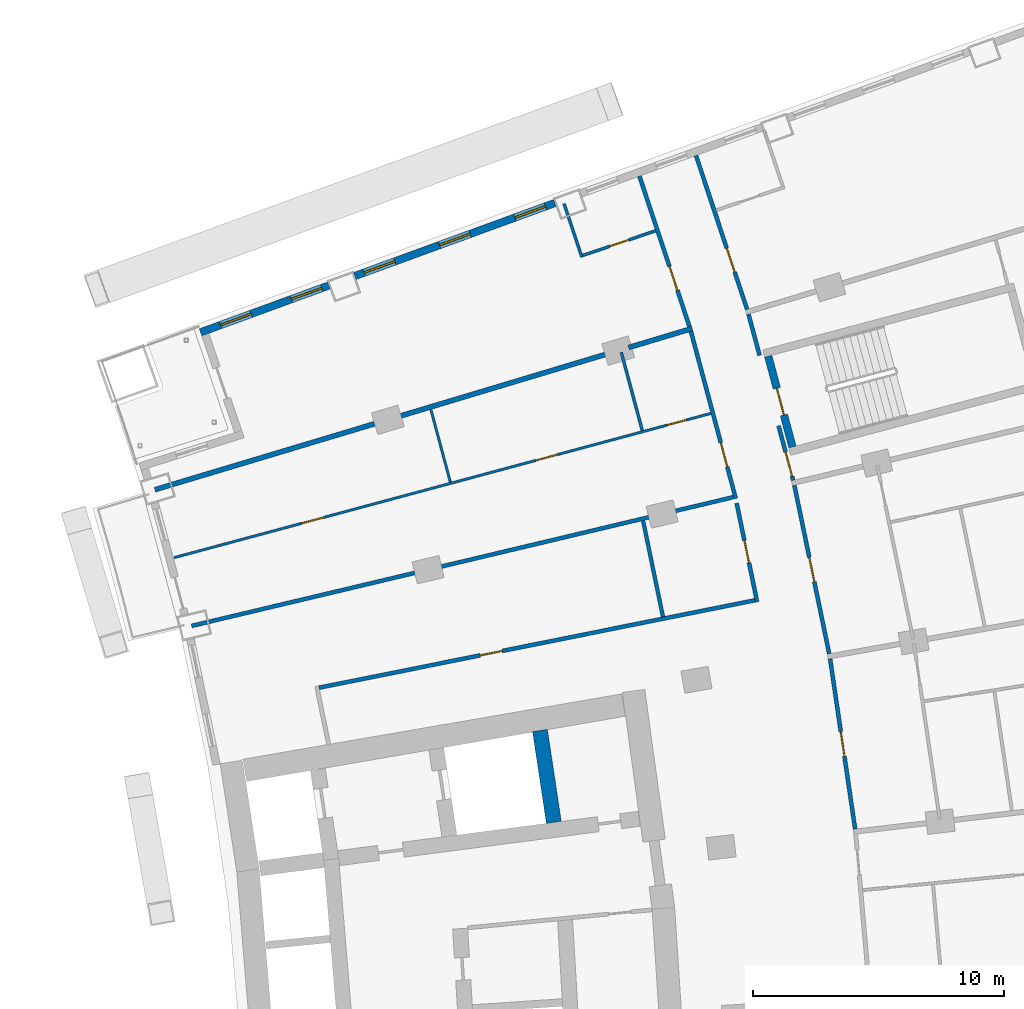
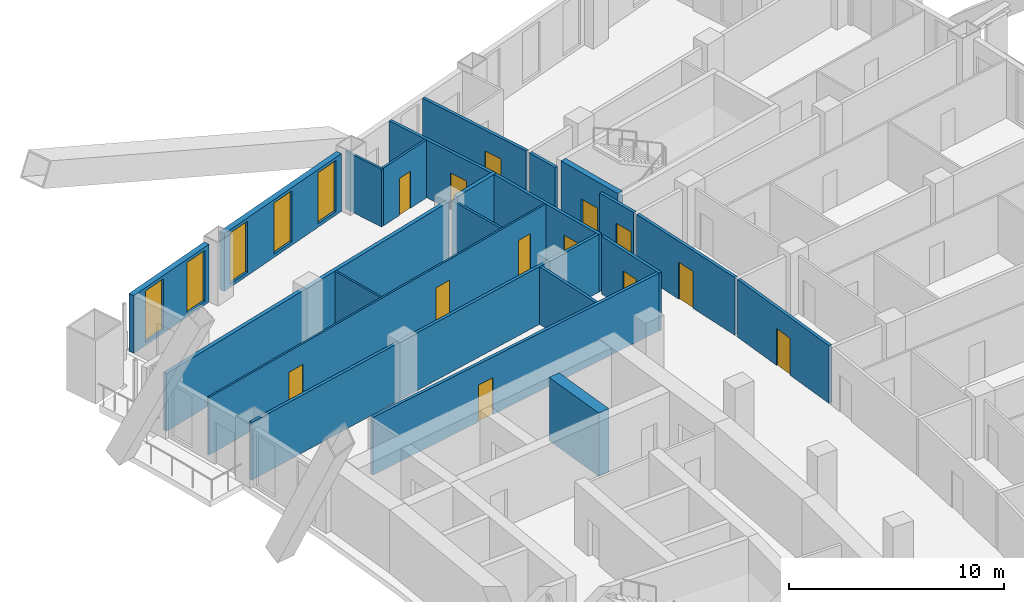
# One storey, part 19 of 25: 22 walls, 13 doors, 5 windows, 18 openings.
"""IFC4 building model written with IfcOpenShell, lengths in metres."""

from ifc_helpers import new_model, si_unit, direction, frame, frame_2d, origin, place, context, subcontext, project, spatial, rectangle, extrude, material, layer, layer_set, type_object, element, fill, save


model = new_model("IFC4")

# Units and contexts
model_context = context("Model", 3, precision=1e-05, world=origin(), true_north=direction((0.0, 1.0)))
body_context = subcontext(model_context, "Body", "Model", "MODEL_VIEW")
ifc_project = project(units=[si_unit("LENGTHUNIT", "METRE"), si_unit("AREAUNIT", "SQUARE_METRE"), si_unit("VOLUMEUNIT", "CUBIC_METRE"), si_unit("PLANEANGLEUNIT", "RADIAN"), si_unit("MASSUNIT", "GRAM", prefix="KILO")], contexts=[model_context])

# Site, building, storey
site_placement = place(None, origin())
site = spatial("IfcSite", under=ifc_project, at=site_placement, CompositionType="ELEMENT")
building_placement = place(site_placement, origin())
building = spatial("IfcBuilding", under=site, at=building_placement, Name="Alderwake Tower", CompositionType="ELEMENT")
storey_placement = place(building_placement, frame((0.0, 0.0, 64.39990234375)))
storey = spatial("IfcBuildingStorey", under=building, at=storey_placement, Name="L15", CompositionType="ELEMENT", Elevation=64.39990234375)

# Wall
ifc_material_1 = material(Name="Concrete C70/85", Category="concrete")
ifc_layer_1 = layer(ifc_material_1, 0.60009765625)
ifc_layer_set_1 = layer_set([ifc_layer_1], Name="Core wall spine 600 C70-85")
wall_type_1 = type_object("IfcWallType", Name="Core wall spine 600 C70-85", PredefinedType="SHEAR", material=ifc_layer_set_1)
wall_1_placement = place(storey_placement, frame((28.337646484375, 75.472412109375, 0.0), z_axis=(0.0, 0.0, 1.0), x_axis=(-0.149224787751, 0.988803298296, 0.0)))
element("IfcWall", 1, at=wall_1_placement, inside=storey, type_object=wall_type_1, Name="Core wall CW.001", PredefinedType="SHEAR", context=body_context, shape_type="SweptSolid", body=[
    extrude(rectangle(XDim=3.712158203125, YDim=0.60009765625, at=frame_2d((1.85595703125, 0.0))), origin(), (0.0, 0.0, 1.0), 3.60009765625),
])

# Wall, opening, door
ifc_material_2 = material(Name="Concrete C70/85", Category="concrete")
ifc_layer_2 = layer(ifc_material_2, 0.300048828125)
ifc_layer_set_2 = layer_set([ifc_layer_2], Name="Core wall stair enclosure 300 C70-85")
wall_type_2 = type_object("IfcWallType", Name="Core wall stair enclosure 300 C70-85", PredefinedType="SHEAR", material=ifc_layer_set_2)
wall_2_placement = place(storey_placement, frame((37.8603515625, 90.452392578125, 0.0), z_axis=(0.0, 0.0, 1.0), x_axis=(-0.257411420208, 0.966301899381, 0.0)))
wall_2 = element("IfcWall", 2, at=wall_2_placement, inside=storey, type_object=wall_type_2, Name="Core wall CW.083", PredefinedType="SHEAR", context=body_context, shape_type="SweptSolid", body=[
    extrude(rectangle(XDim=3.750244140625, YDim=0.300048828125, at=frame_2d((1.875, 0.0))), origin(), (0.0, 0.0, 1.0), 3.60009765625),
])
opening_1_placement = place(wall_2_placement, frame((1.324951171875, 0.0, 0.0)))
opening_1 = element("IfcOpeningElement", 3, at=opening_1_placement, cuts=wall_2, Name="Opening C062", PredefinedType="OPENING", context=body_context, shape_type="SweptSolid", body=[
    extrude(rectangle(XDim=1.10009765625, YDim=2.10009765625, at=frame_2d((0.550048828125, 1.050048828125))), frame((0.0, 0.159912109375, 0.0), z_axis=(0.0, -1.0, 0.0), x_axis=(1.0, 0.0, 0.0)), (0.0, 0.0, 1.0), 0.320068359375),
])
ifc_material_3 = material(Name="Steel-framed fire door leaf", Category="steel")
door_type_1 = type_object("IfcDoorType", Name="Core stair door 1100 fire-rated", OperationType="SINGLE_SWING_LEFT", PredefinedType="DOOR", material=ifc_material_3)
door_1_placement = place(opening_1_placement, origin())
door_1 = element("IfcDoor", 4, at=door_1_placement, inside=storey, type_object=door_type_1, Name="Stair door", OperationType="SINGLE_SWING_RIGHT", OverallHeight=2.10009765625, OverallWidth=1.10009765625, PredefinedType="DOOR", context=body_context, shape_type="SweptSolid", body=[
    extrude(rectangle(XDim=1.10009765625, YDim=2.10009765625, at=frame_2d((0.550048828125, 1.050048828125))), frame((0.0, 0.02490234375, 0.0), z_axis=(0.0, -1.0, 0.0), x_axis=(1.0, 0.0, 0.0)), (0.0, 0.0, 1.0), 0.050048828125),
])
fill(opening_1, door_1)

ifc_material_4 = material(Name="Gypsum board on metal studs, rated")
ifc_layer_3 = layer(ifc_material_4, 0.159912109375)
ifc_layer_set_3 = layer_set([ifc_layer_3], Name="Corridor wall 160")
wall_type_3 = type_object("IfcWallType", Name="Corridor wall 160", PredefinedType="PARTITIONING", material=ifc_layer_set_3)
wall_3_placement = place(storey_placement, frame((33.75146484375, 95.2548828125, 0.0), z_axis=(0.0, 0.0, 1.0), x_axis=(-0.315406156735, 0.948956772616, 0.0)))
wall_3 = element("IfcWall", 5, at=wall_3_placement, inside=storey, type_object=wall_type_3, Name="WL/L15/W21", PredefinedType="PARTITIONING", context=body_context, shape_type="SweptSolid", body=[
    extrude(rectangle(XDim=6.330078125, YDim=0.159912109375, at=frame_2d((3.1650390625, 0.0))), origin(), (0.0, 0.0, 1.0), 3.280029296875),
])
opening_2_placement = place(wall_3_placement, frame((1.529052734375, 0.0, 0.0)))
opening_2 = element("IfcOpeningElement", 6, at=opening_2_placement, cuts=wall_3, Name="Opening R04-U15.1", PredefinedType="OPENING", context=body_context, shape_type="SweptSolid", body=[
    extrude(rectangle(XDim=1.0, YDim=2.10009765625, at=frame_2d((0.5, 1.050048828125))), frame((0.0, 0.08984375, 0.0), z_axis=(0.0, -1.0, 0.0), x_axis=(1.0, 0.0, 0.0)), (0.0, 0.0, 1.0), 0.179931640625),
])
ifc_material_5 = material(Name="Solid timber leaf in steel frame", Category="steel")
door_type_2 = type_object("IfcDoorType", Name="Flat entrance door 1000 fire-rated", OperationType="SINGLE_SWING_LEFT", PredefinedType="DOOR", material=ifc_material_5)
door_2_placement = place(opening_2_placement, origin())
door_2 = element("IfcDoor", 7, at=door_2_placement, inside=storey, type_object=door_type_2, Name="DR/L15/U15.1", OperationType="SINGLE_SWING_LEFT", OverallHeight=2.10009765625, OverallWidth=1.0, PredefinedType="DOOR", context=body_context, shape_type="SweptSolid", body=[
    extrude(rectangle(XDim=1.0, YDim=2.10009765625, at=frame_2d((0.5, 1.050048828125))), frame((0.0, 0.02490234375, 0.0), z_axis=(0.0, -1.0, 0.0), x_axis=(1.0, 0.0, 0.0)), (0.0, 0.0, 1.0), 0.050048828125),
])
fill(opening_2, door_2)

wall_4_placement = place(storey_placement, frame((35.600830078125, 88.392578125, 0.0), z_axis=(0.0, 0.0, 1.0), x_axis=(-0.2593979597, 0.965770520622, 0.0)))
wall_4 = element("IfcWall", 8, at=wall_4_placement, inside=storey, type_object=wall_type_3, Name="WL/L15/W23", PredefinedType="PARTITIONING", context=body_context, shape_type="SweptSolid", body=[
    extrude(rectangle(XDim=6.9072265625, YDim=0.159912109375, at=frame_2d((3.45361328125, 0.0))), origin(), (0.0, 0.0, 1.0), 3.280029296875),
])
opening_3_placement = place(wall_4_placement, frame((1.311279296875, 0.0, 0.0)))
opening_3 = element("IfcOpeningElement", 9, at=opening_3_placement, cuts=wall_4, Name="Opening R04-U14.2", PredefinedType="OPENING", context=body_context, shape_type="SweptSolid", body=[
    extrude(rectangle(XDim=1.0, YDim=2.10009765625, at=frame_2d((0.5, 1.050048828125))), frame((0.0, 0.08984375, 0.0), z_axis=(0.0, -1.0, 0.0), x_axis=(1.0, 0.0, 0.0)), (0.0, 0.0, 1.0), 0.179931640625),
])
door_3_placement = place(opening_3_placement, origin())
door_3 = element("IfcDoor", 10, at=door_3_placement, inside=storey, type_object=door_type_2, Name="DR/L15/U14.2", OperationType="SINGLE_SWING_LEFT", OverallHeight=2.10009765625, OverallWidth=1.0, PredefinedType="DOOR", context=body_context, shape_type="SweptSolid", body=[
    extrude(rectangle(XDim=1.0, YDim=2.10009765625, at=frame_2d((0.5, 1.050048828125))), frame((0.0, 0.02490234375, 0.0), z_axis=(0.0, -1.0, 0.0), x_axis=(1.0, 0.0, 0.0)), (0.0, 0.0, 1.0), 0.050048828125),
])
fill(opening_3, door_3)

# Wall
wall_5_placement = place(storey_placement, frame((35.502197265625, 88.451416015625, 0.0), z_axis=(0.0, 0.0, 1.0), x_axis=(-0.972894913244, -0.231247676278, 0.0)))
element("IfcWall", 11, at=wall_5_placement, inside=storey, type_object=wall_type_3, Name="WL/L15/W26", PredefinedType="PARTITIONING", context=body_context, shape_type="SweptSolid", body=[
    extrude(rectangle(XDim=22.220458984375, YDim=0.159912109375, at=frame_2d((11.1103515625, 0.0))), origin(), (0.0, 0.0, 1.0), 3.280029296875),
])

# Wall, opening, door
wall_6_placement = place(storey_placement, frame((36.451416015625, 84.272705078125, 0.0), z_axis=(0.0, 0.0, 1.0), x_axis=(-0.203258199701, 0.979125172924, 0.0)))
wall_6 = element("IfcWall", 12, at=wall_6_placement, inside=storey, type_object=wall_type_3, Name="WL/L15/W27", PredefinedType="PARTITIONING", context=body_context, shape_type="SweptSolid", body=[
    extrude(rectangle(XDim=4.020263671875, YDim=0.159912109375, at=frame_2d((2.01025390625, 0.0))), origin(), (0.0, 0.0, 1.0), 3.280029296875),
])
opening_4_placement = place(wall_6_placement, frame((1.599609375, 0.0, 0.0)))
opening_4 = element("IfcOpeningElement", 13, at=opening_4_placement, cuts=wall_6, Name="Opening R04-SBN2", PredefinedType="OPENING", context=body_context, shape_type="SweptSolid", body=[
    extrude(rectangle(XDim=0.89990234375, YDim=2.10009765625, at=frame_2d((0.449951171875, 1.050048828125))), frame((0.0, 0.08984375, 0.0), z_axis=(0.0, -1.0, 0.0), x_axis=(1.0, 0.0, 0.0)), (0.0, 0.0, 1.0), 0.179931640625),
])
ifc_material_6 = material(Name="Painted timber leaf", Category="wood")
door_type_3 = type_object("IfcDoorType", Name="Room door 900", OperationType="SINGLE_SWING_LEFT", PredefinedType="DOOR", material=ifc_material_6)
door_4_placement = place(opening_4_placement, origin())
door_4 = element("IfcDoor", 14, at=door_4_placement, inside=storey, type_object=door_type_3, Name="DR/L15/SBN2", OperationType="SINGLE_SWING_LEFT", OverallHeight=2.10009765625, OverallWidth=0.89990234375, PredefinedType="DOOR", context=body_context, shape_type="SweptSolid", body=[
    extrude(rectangle(XDim=0.89990234375, YDim=2.10009765625, at=frame_2d((0.449951171875, 1.050048828125))), frame((0.0, 0.02490234375, 0.0), z_axis=(0.0, -1.0, 0.0), x_axis=(1.0, 0.0, 0.0)), (0.0, 0.0, 1.0), 0.050048828125),
])
fill(opening_4, door_4)

wall_7_placement = place(storey_placement, frame((34.010986328125, 102.083984375, 0.0), z_axis=(0.0, 0.0, 1.0), x_axis=(0.315140606423, -0.949044992708, 0.0)))
wall_7 = element("IfcWall", 15, at=wall_7_placement, inside=storey, type_object=wall_type_3, Name="WL/L15/W29", PredefinedType="PARTITIONING", context=body_context, shape_type="SweptSolid", body=[
    extrude(rectangle(XDim=6.46875, YDim=0.159912109375, at=frame_2d((3.234375, 0.0))), origin(), (0.0, 0.0, 1.0), 3.280029296875),
])
opening_5_placement = place(wall_7_placement, frame((3.897705078125, 0.0, 0.0)))
opening_5 = element("IfcOpeningElement", 16, at=opening_5_placement, cuts=wall_7, Name="Opening R04-U04.1", PredefinedType="OPENING", context=body_context, shape_type="SweptSolid", body=[
    extrude(rectangle(XDim=1.0, YDim=2.10009765625, at=frame_2d((0.5, 1.050048828125))), frame((0.0, 0.08984375, 0.0), z_axis=(0.0, -1.0, 0.0), x_axis=(1.0, 0.0, 0.0)), (0.0, 0.0, 1.0), 0.179931640625),
])
door_5_placement = place(opening_5_placement, origin())
door_5 = element("IfcDoor", 17, at=door_5_placement, inside=storey, type_object=door_type_2, Name="DR/L15/U04.1", OperationType="SINGLE_SWING_LEFT", OverallHeight=2.10009765625, OverallWidth=1.0, PredefinedType="DOOR", context=body_context, shape_type="SweptSolid", body=[
    extrude(rectangle(XDim=1.0, YDim=2.10009765625, at=frame_2d((0.5, 1.050048828125))), frame((0.0, 0.02490234375, 0.0), z_axis=(0.0, -1.0, 0.0), x_axis=(1.0, 0.0, 0.0)), (0.0, 0.0, 1.0), 0.050048828125),
])
fill(opening_5, door_5)

wall_8_placement = place(storey_placement, frame((18.969482421875, 80.84765625, 0.0), z_axis=(0.0, 0.0, 1.0), x_axis=(0.980470914622, 0.196664144112, 0.0)))
wall_8 = element("IfcWall", 18, at=wall_8_placement, inside=storey, type_object=wall_type_3, Name="WL/L15/W31", PredefinedType="PARTITIONING", context=body_context, shape_type="SweptSolid", body=[
    extrude(rectangle(XDim=17.733642578125, YDim=0.159912109375, at=frame_2d((8.86669921875, 0.0))), origin(), (0.0, 0.0, 1.0), 3.280029296875),
])
opening_6_placement = place(wall_8_placement, frame((6.556884765625, 0.0, 0.0)))
opening_6 = element("IfcOpeningElement", 19, at=opening_6_placement, cuts=wall_8, Name="Opening R04-SBN1", PredefinedType="OPENING", context=body_context, shape_type="SweptSolid", body=[
    extrude(rectangle(XDim=0.89990234375, YDim=2.10009765625, at=frame_2d((0.449951171875, 1.050048828125))), frame((0.0, 0.08984375, 0.0), z_axis=(0.0, -1.0, 0.0), x_axis=(1.0, 0.0, 0.0)), (0.0, 0.0, 1.0), 0.179931640625),
])
door_6_placement = place(opening_6_placement, origin())
door_6 = element("IfcDoor", 20, at=door_6_placement, inside=storey, type_object=door_type_3, Name="DR/L15/SBN1", OperationType="SINGLE_SWING_LEFT", OverallHeight=2.10009765625, OverallWidth=0.89990234375, PredefinedType="DOOR", context=body_context, shape_type="SweptSolid", body=[
    extrude(rectangle(XDim=0.89990234375, YDim=2.10009765625, at=frame_2d((0.449951171875, 1.050048828125))), frame((0.0, 0.02490234375, 0.0), z_axis=(0.0, -1.0, 0.0), x_axis=(1.0, 0.0, 0.0)), (0.0, 0.0, 1.0), 0.050048828125),
])
fill(opening_6, door_6)

# Wall
wall_9_placement = place(storey_placement, frame((36.549072265625, 94.110107421875, 0.0), z_axis=(0.0, 0.0, 1.0), x_axis=(-0.259813977097, 0.965658685719, 0.0)))
element("IfcWall", 21, at=wall_9_placement, inside=storey, type_object=wall_type_3, Name="WL/L15/W32", PredefinedType="PARTITIONING", context=body_context, shape_type="SweptSolid", body=[
    extrude(rectangle(XDim=1.70166015625, YDim=0.159912109375, at=frame_2d((0.850830078125, 0.0))), origin(), (0.0, 0.0, 1.0), 3.280029296875),
])

# Wall, opening, door
wall_10_placement = place(storey_placement, frame((37.304931640625, 91.299072265625, 0.0), z_axis=(0.0, 0.0, 1.0), x_axis=(0.259946294884, -0.965623075416, 0.0)))
wall_10 = element("IfcWall", 22, at=wall_10_placement, inside=storey, type_object=wall_type_3, Name="WL/L15/W35", PredefinedType="PARTITIONING", context=body_context, shape_type="SweptSolid", body=[
    extrude(rectangle(XDim=2.255126953125, YDim=0.159912109375, at=frame_2d((1.12744140625, 0.0))), origin(), (0.0, 0.0, 1.0), 3.280029296875),
])
opening_7_placement = place(wall_10_placement, frame((1.083984375, 0.0, 0.0)))
opening_7 = element("IfcOpeningElement", 23, at=opening_7_placement, cuts=wall_10, Name="Opening R04-U02.1", PredefinedType="OPENING", context=body_context, shape_type="SweptSolid", body=[
    extrude(rectangle(XDim=1.0, YDim=2.10009765625, at=frame_2d((0.5, 1.050048828125))), frame((0.0, 0.08984375, 0.0), z_axis=(0.0, -1.0, 0.0), x_axis=(1.0, 0.0, 0.0)), (0.0, 0.0, 1.0), 0.179931640625),
])
door_7_placement = place(opening_7_placement, origin())
door_7 = element("IfcDoor", 24, at=door_7_placement, inside=storey, type_object=door_type_2, Name="DR/L15/U02.1", OperationType="SINGLE_SWING_LEFT", OverallHeight=2.10009765625, OverallWidth=1.0, PredefinedType="DOOR", context=body_context, shape_type="SweptSolid", body=[
    extrude(rectangle(XDim=1.0, YDim=2.10009765625, at=frame_2d((0.5, 1.050048828125))), frame((0.0, 0.02490234375, 0.0), z_axis=(0.0, -1.0, 0.0), x_axis=(1.0, 0.0, 0.0)), (0.0, 0.0, 1.0), 0.050048828125),
])
fill(opening_7, door_7)

wall_11_placement = place(storey_placement, frame((37.937255859375, 88.927001953125, 0.0), z_axis=(0.0, 0.0, 1.0), x_axis=(0.20241288737, -0.979300272147, 0.0)))
wall_11 = element("IfcWall", 25, at=wall_11_placement, inside=storey, type_object=wall_type_3, Name="WL/L15/W37", PredefinedType="PARTITIONING", context=body_context, shape_type="SweptSolid", body=[
    extrude(rectangle(XDim=6.870361328125, YDim=0.159912109375, at=frame_2d((3.43505859375, 0.0))), origin(), (0.0, 0.0, 1.0), 3.280029296875),
])
opening_8_placement = place(wall_11_placement, frame((2.93505859375, 0.0, 0.0)))
opening_8 = element("IfcOpeningElement", 26, at=opening_8_placement, cuts=wall_11, Name="Opening R04-U11.2", PredefinedType="OPENING", context=body_context, shape_type="SweptSolid", body=[
    extrude(rectangle(XDim=1.0, YDim=2.10009765625, at=frame_2d((0.5, 1.050048828125))), frame((0.0, 0.08984375, 0.0), z_axis=(0.0, -1.0, 0.0), x_axis=(1.0, 0.0, 0.0)), (0.0, 0.0, 1.0), 0.179931640625),
])
door_8_placement = place(opening_8_placement, origin())
door_8 = element("IfcDoor", 27, at=door_8_placement, inside=storey, type_object=door_type_2, Name="DR/L15/U11.2", OperationType="SINGLE_SWING_LEFT", OverallHeight=2.10009765625, OverallWidth=1.0, PredefinedType="DOOR", context=body_context, shape_type="SweptSolid", body=[
    extrude(rectangle(XDim=1.0, YDim=2.10009765625, at=frame_2d((0.5, 1.050048828125))), frame((0.0, 0.02490234375, 0.0), z_axis=(0.0, -1.0, 0.0), x_axis=(1.0, 0.0, 0.0)), (0.0, 0.0, 1.0), 0.050048828125),
])
fill(opening_8, door_8)

wall_12_placement = place(storey_placement, frame((39.362548828125, 82.001953125, 0.0), z_axis=(0.0, 0.0, 1.0), x_axis=(0.145565626222, -0.98934859805, 0.0)))
wall_12 = element("IfcWall", 28, at=wall_12_placement, inside=storey, type_object=wall_type_3, Name="WL/L15/W39", PredefinedType="PARTITIONING", context=body_context, shape_type="SweptSolid", body=[
    extrude(rectangle(XDim=6.8681640625, YDim=0.159912109375, at=frame_2d((3.43408203125, 0.0))), origin(), (0.0, 0.0, 1.0), 3.280029296875),
])
opening_9_placement = place(wall_12_placement, frame((2.93408203125, 0.0, 0.0)))
opening_9 = element("IfcOpeningElement", 29, at=opening_9_placement, cuts=wall_12, Name="Opening R04-U10.2", PredefinedType="OPENING", context=body_context, shape_type="SweptSolid", body=[
    extrude(rectangle(XDim=1.0, YDim=2.10009765625, at=frame_2d((0.5, 1.050048828125))), frame((0.0, 0.08984375, 0.0), z_axis=(0.0, -1.0, 0.0), x_axis=(1.0, 0.0, 0.0)), (0.0, 0.0, 1.0), 0.179931640625),
])
door_9_placement = place(opening_9_placement, origin())
door_9 = element("IfcDoor", 30, at=door_9_placement, inside=storey, type_object=door_type_2, Name="DR/L15/U10.2", OperationType="SINGLE_SWING_LEFT", OverallHeight=2.10009765625, OverallWidth=1.0, PredefinedType="DOOR", context=body_context, shape_type="SweptSolid", body=[
    extrude(rectangle(XDim=1.0, YDim=2.10009765625, at=frame_2d((0.5, 1.050048828125))), frame((0.0, 0.02490234375, 0.0), z_axis=(0.0, -1.0, 0.0), x_axis=(1.0, 0.0, 0.0)), (0.0, 0.0, 1.0), 0.050048828125),
])
fill(opening_9, door_9)

# Wall, openings, windows
ifc_material_7 = material(Name="Bronze metal cladding on lightweight framing")
ifc_layer_4 = layer(ifc_material_7, 0.300048828125)
ifc_layer_set_4 = layer_set([ifc_layer_4], Name="External wall EW2 bronze metal cladding")
wall_type_4 = type_object("IfcWallType", Name="External wall EW2 bronze metal cladding", PredefinedType="SOLIDWALL", material=ifc_layer_set_4)
wall_13_placement = place(storey_placement, frame((28.37890625, 100.18896484375, 0.0), z_axis=(0.0, 0.0, 1.0), x_axis=(-0.939369809957, -0.342905759856, 0.0)))
wall_13 = element("IfcWall", 31, at=wall_13_placement, inside=storey, type_object=wall_type_4, Name="External wall 28", PredefinedType="SOLIDWALL", context=body_context, shape_type="SweptSolid", body=[
    extrude(rectangle(XDim=8.495361328125, YDim=0.300048828125, at=frame_2d((4.24755859375, 0.0))), origin(), (0.0, 0.0, 1.0), 3.280029296875),
])
opening_10_placement = place(wall_13_placement, frame((0.397705078125, 0.0, 0.199951171875)))
opening_10 = element("IfcOpeningElement", 32, at=opening_10_placement, cuts=wall_13, Name="Opening W1", PredefinedType="OPENING", context=body_context, shape_type="SweptSolid", body=[
    extrude(rectangle(XDim=1.300048828125, YDim=2.89990234375, at=frame_2d((0.64990234375, 1.449951171875))), frame((0.0, 0.159912109375, 0.0), z_axis=(0.0, -1.0, 0.0), x_axis=(1.0, 0.0, 0.0)), (0.0, 0.0, 1.0), 0.320068359375),
])
opening_11_placement = place(wall_13_placement, frame((3.59765625, 0.0, 0.199951171875)))
opening_11 = element("IfcOpeningElement", 33, at=opening_11_placement, cuts=wall_13, Name="Opening W1", PredefinedType="OPENING", context=body_context, shape_type="SweptSolid", body=[
    extrude(rectangle(XDim=1.300048828125, YDim=2.89990234375, at=frame_2d((0.64990234375, 1.449951171875))), frame((0.0, 0.159912109375, 0.0), z_axis=(0.0, -1.0, 0.0), x_axis=(1.0, 0.0, 0.0)), (0.0, 0.0, 1.0), 0.320068359375),
])
opening_12_placement = place(wall_13_placement, frame((6.7978515625, 0.0, 0.199951171875)))
opening_12 = element("IfcOpeningElement", 34, at=opening_12_placement, cuts=wall_13, Name="Opening W1", PredefinedType="OPENING", context=body_context, shape_type="SweptSolid", body=[
    extrude(rectangle(XDim=1.300048828125, YDim=2.89990234375, at=frame_2d((0.64990234375, 1.449951171875))), frame((0.0, 0.159912109375, 0.0), z_axis=(0.0, -1.0, 0.0), x_axis=(1.0, 0.0, 0.0)), (0.0, 0.0, 1.0), 0.320068359375),
])
ifc_material_8 = material(Name="Bronze tinted glass in aluminium frame", Category="aluminium")
window_type = type_object("IfcWindowType", Name="Window W1 tall fixed and vent", PartitioningType="DOUBLE_PANEL_VERTICAL", PredefinedType="WINDOW", material=ifc_material_8)
window_1_placement = place(opening_10_placement, origin())
window_1 = element("IfcWindow", 35, at=window_1_placement, inside=storey, type_object=window_type, Name="Window W1 tall fixed and vent", OverallHeight=2.89990234375, OverallWidth=1.300048828125, PartitioningType="DOUBLE_PANEL_VERTICAL", PredefinedType="WINDOW", context=body_context, shape_type="SweptSolid", body=[
    extrude(rectangle(XDim=1.300048828125, YDim=2.89990234375, at=frame_2d((0.64990234375, 1.449951171875))), frame((0.0, 0.030029296875, 0.0), z_axis=(0.0, -1.0, 0.0), x_axis=(1.0, 0.0, 0.0)), (0.0, 0.0, 1.0), 0.06005859375),
])
fill(opening_10, window_1)
window_2_placement = place(opening_11_placement, origin())
window_2 = element("IfcWindow", 36, at=window_2_placement, inside=storey, type_object=window_type, Name="Window W1 tall fixed and vent", OverallHeight=2.89990234375, OverallWidth=1.300048828125, PartitioningType="DOUBLE_PANEL_VERTICAL", PredefinedType="WINDOW", context=body_context, shape_type="SweptSolid", body=[
    extrude(rectangle(XDim=1.300048828125, YDim=2.89990234375, at=frame_2d((0.64990234375, 1.449951171875))), frame((0.0, 0.030029296875, 0.0), z_axis=(0.0, -1.0, 0.0), x_axis=(1.0, 0.0, 0.0)), (0.0, 0.0, 1.0), 0.06005859375),
])
fill(opening_11, window_2)
window_3_placement = place(opening_12_placement, origin())
window_3 = element("IfcWindow", 37, at=window_3_placement, inside=storey, type_object=window_type, Name="Window W1 tall fixed and vent", OverallHeight=2.89990234375, OverallWidth=1.300048828125, PartitioningType="DOUBLE_PANEL_VERTICAL", PredefinedType="WINDOW", context=body_context, shape_type="SweptSolid", body=[
    extrude(rectangle(XDim=1.300048828125, YDim=2.89990234375, at=frame_2d((0.64990234375, 1.449951171875))), frame((0.0, 0.030029296875, 0.0), z_axis=(0.0, -1.0, 0.0), x_axis=(1.0, 0.0, 0.0)), (0.0, 0.0, 1.0), 0.06005859375),
])
fill(opening_12, window_3)

wall_14_placement = place(storey_placement, frame((19.360595703125, 96.89697265625, 0.0), z_axis=(0.0, 0.0, 1.0), x_axis=(-0.939360985368, -0.342929933321, 0.0)))
wall_14 = element("IfcWall", 38, at=wall_14_placement, inside=storey, type_object=wall_type_4, Name="External wall 29", PredefinedType="SOLIDWALL", context=body_context, shape_type="SweptSolid", body=[
    extrude(rectangle(XDim=5.448974609375, YDim=0.300048828125, at=frame_2d((2.724609375, 0.0))), origin(), (0.0, 0.0, 1.0), 3.280029296875),
])
opening_13_placement = place(wall_14_placement, frame((0.2978515625, 0.0, 0.199951171875)))
opening_13 = element("IfcOpeningElement", 39, at=opening_13_placement, cuts=wall_14, Name="Opening W1", PredefinedType="OPENING", context=body_context, shape_type="SweptSolid", body=[
    extrude(rectangle(XDim=1.300048828125, YDim=2.89990234375, at=frame_2d((0.64990234375, 1.449951171875))), frame((0.0, 0.159912109375, 0.0), z_axis=(0.0, -1.0, 0.0), x_axis=(1.0, 0.0, 0.0)), (0.0, 0.0, 1.0), 0.320068359375),
])
opening_14_placement = place(wall_14_placement, frame((3.298583984375, 0.0, 0.199951171875)))
opening_14 = element("IfcOpeningElement", 40, at=opening_14_placement, cuts=wall_14, Name="Opening W1", PredefinedType="OPENING", context=body_context, shape_type="SweptSolid", body=[
    extrude(rectangle(XDim=1.300048828125, YDim=2.89990234375, at=frame_2d((0.64990234375, 1.449951171875))), frame((0.0, 0.159912109375, 0.0), z_axis=(0.0, -1.0, 0.0), x_axis=(1.0, 0.0, 0.0)), (0.0, 0.0, 1.0), 0.320068359375),
])
window_4_placement = place(opening_13_placement, origin())
window_4 = element("IfcWindow", 41, at=window_4_placement, inside=storey, type_object=window_type, Name="Window W1 tall fixed and vent", OverallHeight=2.89990234375, OverallWidth=1.300048828125, PartitioningType="DOUBLE_PANEL_VERTICAL", PredefinedType="WINDOW", context=body_context, shape_type="SweptSolid", body=[
    extrude(rectangle(XDim=1.300048828125, YDim=2.89990234375, at=frame_2d((0.64990234375, 1.449951171875))), frame((0.0, 0.030029296875, 0.0), z_axis=(0.0, -1.0, 0.0), x_axis=(1.0, 0.0, 0.0)), (0.0, 0.0, 1.0), 0.06005859375),
])
fill(opening_13, window_4)
window_5_placement = place(opening_14_placement, origin())
window_5 = element("IfcWindow", 42, at=window_5_placement, inside=storey, type_object=window_type, Name="Window W1 tall fixed and vent", OverallHeight=2.89990234375, OverallWidth=1.300048828125, PartitioningType="DOUBLE_PANEL_VERTICAL", PredefinedType="WINDOW", context=body_context, shape_type="SweptSolid", body=[
    extrude(rectangle(XDim=1.300048828125, YDim=2.89990234375, at=frame_2d((0.64990234375, 1.449951171875))), frame((0.0, 0.030029296875, 0.0), z_axis=(0.0, -1.0, 0.0), x_axis=(1.0, 0.0, 0.0)), (0.0, 0.0, 1.0), 0.06005859375),
])
fill(opening_14, window_5)

# Walls
ifc_material_9 = material(Name="Dense block masonry wall", Category="masonry")
ifc_layer_5 = layer(ifc_material_9, 0.199951171875)
ifc_layer_set_5 = layer_set([ifc_layer_5], Name="Party wall 200")
wall_type_5 = type_object("IfcWallType", Name="Party wall 200", PredefinedType="SOLIDWALL", material=ifc_layer_set_5)
wall_15_placement = place(storey_placement, frame((30.812744140625, 94.270751953125, 0.0), z_axis=(0.0, 0.0, 1.0), x_axis=(-0.957756965565, -0.287578849904, 0.0)))
element("IfcWall", 43, at=wall_15_placement, inside=storey, type_object=wall_type_5, Name="WL/L15/W01", PredefinedType="SOLIDWALL", context=body_context, shape_type="SweptSolid", body=[
    extrude(rectangle(XDim=19.20068359375, YDim=0.199951171875, at=frame_2d((9.600341796875, 0.0))), origin(), (0.0, 0.0, 1.0), 3.280029296875),
])
wall_16_placement = place(storey_placement, frame((33.859619140625, 95.18310546875, 0.0), z_axis=(0.0, 0.0, 1.0), x_axis=(-0.957762803886, -0.287559405153, 0.0)))
element("IfcWall", 44, at=wall_16_placement, inside=storey, type_object=wall_type_5, Name="WL/L15/W04", PredefinedType="SOLIDWALL", context=body_context, shape_type="SweptSolid", body=[
    extrude(rectangle(XDim=2.647216796875, YDim=0.199951171875, at=frame_2d((1.32373046875, 0.0))), origin(), (0.0, 0.0, 1.0), 3.280029296875),
])
ifc_material_10 = material(Name="Gypsum shaft wall system, rated")
ifc_layer_6 = layer(ifc_material_10, 0.14990234375)
ifc_layer_set_6 = layer_set([ifc_layer_6], Name="Riser and shaft wall 150")
wall_type_6 = type_object("IfcWallType", Name="Riser and shaft wall 150", PredefinedType="PARTITIONING", material=ifc_layer_set_6)
wall_17_placement = place(storey_placement, frame((32.69287109375, 83.682373046875, 0.0), z_axis=(0.0, 0.0, 1.0), x_axis=(-0.20266545775, 0.979248034073, 0.0)))
element("IfcWall", 45, at=wall_17_placement, inside=storey, type_object=wall_type_6, Name="WL/L15/W16", PredefinedType="PARTITIONING", context=body_context, shape_type="SweptSolid", body=[
    extrude(rectangle(XDim=3.911376953125, YDim=0.14990234375, at=frame_2d((1.95556640625, 0.0))), origin(), (0.0, 0.0, 1.0), 3.280029296875),
])

# Wall, openings, doors
ifc_material_11 = material(Name="Gypsum board on metal studs")
ifc_layer_7 = layer(ifc_material_11, 0.10009765625)
ifc_layer_set_7 = layer_set([ifc_layer_7], Name="Unit partition 100")
wall_type_7 = type_object("IfcWallType", Name="Unit partition 100", PredefinedType="PARTITIONING", material=ifc_layer_set_7)
wall_18_placement = place(storey_placement, frame((13.194091796875, 86.0400390625, 0.0), z_axis=(0.0, 0.0, 1.0), x_axis=(0.965734733826, 0.259531161679, 0.0)))
wall_18 = element("IfcWall", 46, at=wall_18_placement, inside=storey, type_object=wall_type_7, Name="WL/L15/W68", PredefinedType="PARTITIONING", context=body_context, shape_type="SweptSolid", body=[
    extrude(rectangle(XDim=22.17138671875, YDim=0.10009765625, at=frame_2d((11.085693359375, 0.0))), origin(), (0.0, 0.0, 1.0), 3.280029296875),
])
opening_15_placement = place(wall_18_placement, frame((14.935791015625, 0.0, 0.0)))
opening_15 = element("IfcOpeningElement", 47, at=opening_15_placement, cuts=wall_18, Name="Opening R04-U14.1", PredefinedType="OPENING", context=body_context, shape_type="SweptSolid", body=[
    extrude(rectangle(XDim=0.89990234375, YDim=2.10009765625, at=frame_2d((0.449951171875, 1.050048828125))), frame((0.0, 0.06005859375, 0.0), z_axis=(0.0, -1.0, 0.0), x_axis=(1.0, 0.0, 0.0)), (0.0, 0.0, 1.0), 0.1201171875),
])
opening_16_placement = place(wall_18_placement, frame((20.361328125, 0.0, 0.0)))
opening_16 = element("IfcOpeningElement", 48, at=opening_16_placement, cuts=wall_18, Name="Opening R04-U14.3", PredefinedType="OPENING", context=body_context, shape_type="SweptSolid", body=[
    extrude(rectangle(XDim=0.800048828125, YDim=2.10009765625, at=frame_2d((0.39990234375, 1.050048828125))), frame((0.0, 0.06005859375, 0.0), z_axis=(0.0, -1.0, 0.0), x_axis=(1.0, 0.0, 0.0)), (0.0, 0.0, 1.0), 0.1201171875),
])
opening_17_placement = place(wall_18_placement, frame((5.260498046875, 0.0, 0.0)))
opening_17 = element("IfcOpeningElement", 49, at=opening_17_placement, cuts=wall_18, Name="Opening R04-U14.4", PredefinedType="OPENING", context=body_context, shape_type="SweptSolid", body=[
    extrude(rectangle(XDim=0.89990234375, YDim=2.10009765625, at=frame_2d((0.449951171875, 1.050048828125))), frame((0.0, 0.06005859375, 0.0), z_axis=(0.0, -1.0, 0.0), x_axis=(1.0, 0.0, 0.0)), (0.0, 0.0, 1.0), 0.1201171875),
])
ifc_material_12 = material(Name="Painted timber leaf", Category="wood")
door_type_4 = type_object("IfcDoorType", Name="Bathroom door 800", OperationType="SINGLE_SWING_LEFT", PredefinedType="DOOR", material=ifc_material_12)
door_10_placement = place(opening_16_placement, origin())
door_10 = element("IfcDoor", 50, at=door_10_placement, inside=storey, type_object=door_type_4, Name="DR/L15/U14.3", OperationType="SINGLE_SWING_LEFT", OverallHeight=2.10009765625, OverallWidth=0.800048828125, PredefinedType="DOOR", context=body_context, shape_type="SweptSolid", body=[
    extrude(rectangle(XDim=0.800048828125, YDim=2.10009765625, at=frame_2d((0.39990234375, 1.050048828125))), frame((0.0, 0.02490234375, 0.0), z_axis=(0.0, -1.0, 0.0), x_axis=(1.0, 0.0, 0.0)), (0.0, 0.0, 1.0), 0.050048828125),
])
fill(opening_16, door_10)
door_11_placement = place(opening_15_placement, origin())
door_11 = element("IfcDoor", 51, at=door_11_placement, inside=storey, type_object=door_type_3, Name="DR/L15/U14.1", OperationType="SINGLE_SWING_LEFT", OverallHeight=2.10009765625, OverallWidth=0.89990234375, PredefinedType="DOOR", context=body_context, shape_type="SweptSolid", body=[
    extrude(rectangle(XDim=0.89990234375, YDim=2.10009765625, at=frame_2d((0.449951171875, 1.050048828125))), frame((0.0, 0.02490234375, 0.0), z_axis=(0.0, -1.0, 0.0), x_axis=(1.0, 0.0, 0.0)), (0.0, 0.0, 1.0), 0.050048828125),
])
fill(opening_15, door_11)
door_12_placement = place(opening_17_placement, origin())
door_12 = element("IfcDoor", 52, at=door_12_placement, inside=storey, type_object=door_type_3, Name="DR/L15/U14.4", OperationType="SINGLE_SWING_LEFT", OverallHeight=2.10009765625, OverallWidth=0.89990234375, PredefinedType="DOOR", context=body_context, shape_type="SweptSolid", body=[
    extrude(rectangle(XDim=0.89990234375, YDim=2.10009765625, at=frame_2d((0.449951171875, 1.050048828125))), frame((0.0, 0.02490234375, 0.0), z_axis=(0.0, -1.0, 0.0), x_axis=(1.0, 0.0, 0.0)), (0.0, 0.0, 1.0), 0.050048828125),
])
fill(opening_17, door_12)

# Walls
wall_19_placement = place(storey_placement, frame((23.431884765625, 91.949462890625, 0.0), z_axis=(0.0, 0.0, 1.0), x_axis=(0.259065603162, -0.965859727527, 0.0)))
element("IfcWall", 53, at=wall_19_placement, inside=storey, type_object=wall_type_7, Name="WL/L15/W69", PredefinedType="PARTITIONING", context=body_context, shape_type="SweptSolid", body=[
    extrude(rectangle(XDim=2.99951171875, YDim=0.10009765625, at=frame_2d((1.499755859375, 0.0))), origin(), (0.0, 0.0, 1.0), 3.280029296875),
])
ifc_material_13 = material(Name="Moisture resistant gypsum board on metal studs")
ifc_layer_8 = layer(ifc_material_13, 0.1201171875)
ifc_layer_set_8 = layer_set([ifc_layer_8], Name="Wet room partition 120")
wall_type_8 = type_object("IfcWallType", Name="Wet room partition 120", PredefinedType="PARTITIONING", material=ifc_layer_set_8)
wall_20_placement = place(storey_placement, frame((28.7490234375, 100.1640625, 0.0), z_axis=(0.0, 0.0, 1.0), x_axis=(0.315416394236, -0.948953369901, 0.0)))
element("IfcWall", 54, at=wall_20_placement, inside=storey, type_object=wall_type_8, Name="WL/L15/W44", PredefinedType="PARTITIONING", context=body_context, shape_type="SweptSolid", body=[
    extrude(rectangle(XDim=2.257080078125, YDim=0.1201171875, at=frame_2d((1.12841796875, 0.0))), origin(), (0.0, 0.0, 1.0), 3.280029296875),
])

# Wall, opening, door
wall_21_placement = place(storey_placement, frame((29.498779296875, 98.09814453125, 0.0), z_axis=(0.0, 0.0, 1.0), x_axis=(0.947164130145, 0.320749295505, 0.0)))
wall_21 = element("IfcWall", 55, at=wall_21_placement, inside=storey, type_object=wall_type_8, Name="WL/L15/W46", PredefinedType="PARTITIONING", context=body_context, shape_type="SweptSolid", body=[
    extrude(rectangle(XDim=3.05908203125, YDim=0.1201171875, at=frame_2d((1.529541015625, 0.0))), origin(), (0.0, 0.0, 1.0), 3.280029296875),
])
opening_18_placement = place(wall_21_placement, frame((1.12939453125, 0.0, 0.0)))
opening_18 = element("IfcOpeningElement", 56, at=opening_18_placement, cuts=wall_21, Name="Opening R04-U15.2", PredefinedType="OPENING", context=body_context, shape_type="SweptSolid", body=[
    extrude(rectangle(XDim=0.800048828125, YDim=2.10009765625, at=frame_2d((0.39990234375, 1.050048828125))), frame((0.0, 0.070068359375, 0.0), z_axis=(0.0, -1.0, 0.0), x_axis=(1.0, 0.0, 0.0)), (0.0, 0.0, 1.0), 0.14013671875),
])
door_13_placement = place(opening_18_placement, origin())
door_13 = element("IfcDoor", 57, at=door_13_placement, inside=storey, type_object=door_type_4, Name="DR/L15/U15.2", OperationType="SINGLE_SWING_LEFT", OverallHeight=2.10009765625, OverallWidth=0.800048828125, PredefinedType="DOOR", context=body_context, shape_type="SweptSolid", body=[
    extrude(rectangle(XDim=0.800048828125, YDim=2.10009765625, at=frame_2d((0.39990234375, 1.050048828125))), frame((0.0, 0.02490234375, 0.0), z_axis=(0.0, -1.0, 0.0), x_axis=(1.0, 0.0, 0.0)), (0.0, 0.0, 1.0), 0.050048828125),
])
fill(opening_18, door_13)

# Wall
wall_22_placement = place(storey_placement, frame((31.031005859375, 94.2294921875, 0.0), z_axis=(0.0, 0.0, 1.0), x_axis=(0.259149206489, -0.96583729933, 0.0)))
element("IfcWall", 58, at=wall_22_placement, inside=storey, type_object=wall_type_8, Name="WL/L15/W48", PredefinedType="PARTITIONING", context=body_context, shape_type="SweptSolid", body=[
    extrude(rectangle(XDim=3.2294921875, YDim=0.1201171875, at=frame_2d((1.61474609375, 0.0))), origin(), (0.0, 0.0, 1.0), 3.280029296875),
])

save(model, "model.ifc")
